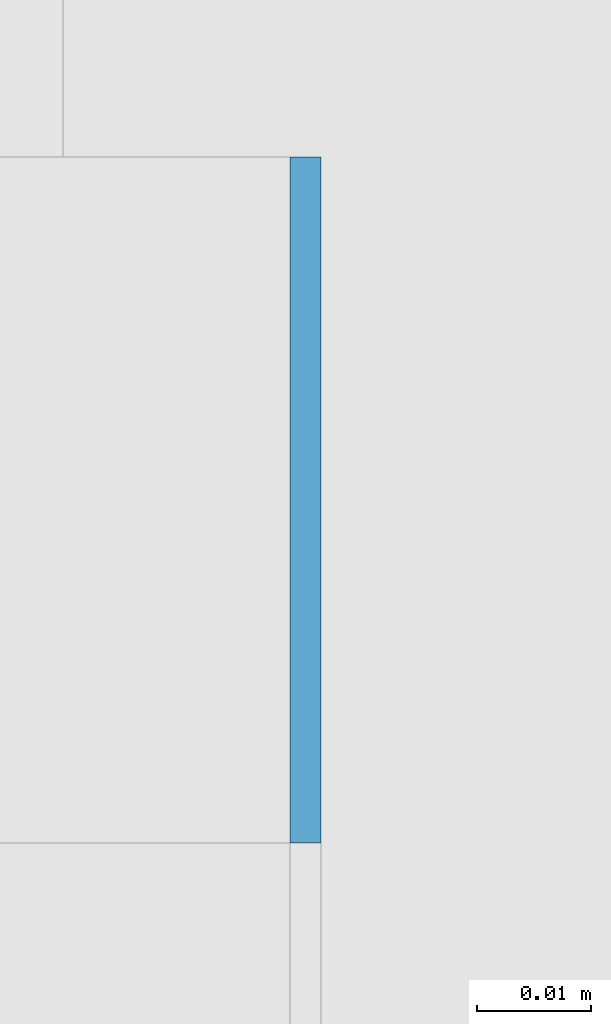
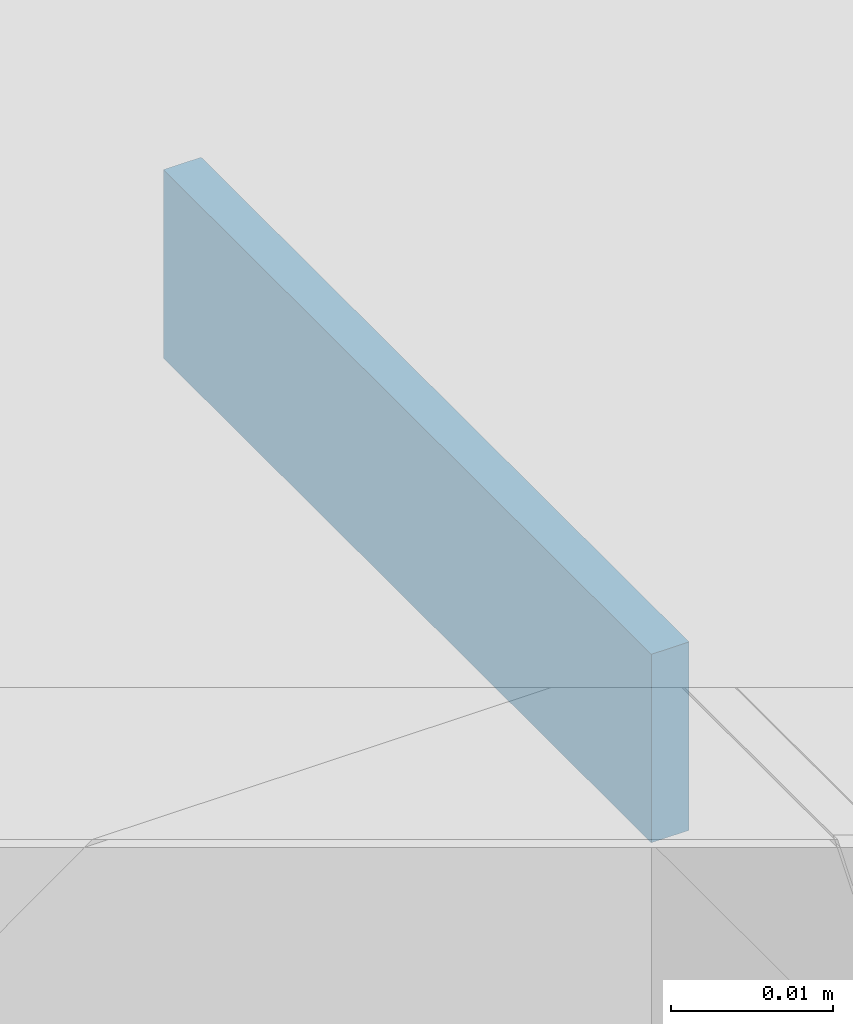
# One storey, part 381 of 646: 1 discrete accessory.
"""IFC4 building model written with IfcOpenShell, lengths in metres."""

from ifc_helpers import new_model, si_unit, direction, frame, origin, origin_2d, place, context, subcontext, project, spatial, rectangle, extrude, material, type_object, element, save


model = new_model("IFC4")

# Units and contexts
model_context = context("Model", 3, precision=1e-05, world=origin(), true_north=direction((0.0, 1.0)))
body_context = subcontext(model_context, "Body", "Model", "MODEL_VIEW")
ifc_project = project(units=[si_unit("LENGTHUNIT", "METRE"), si_unit("AREAUNIT", "SQUARE_METRE"), si_unit("VOLUMEUNIT", "CUBIC_METRE"), si_unit("PLANEANGLEUNIT", "RADIAN"), si_unit("MASSUNIT", "GRAM", prefix="KILO")], contexts=[model_context])

# Site, building, storey
site_placement = place(None, origin())
site = spatial("IfcSite", under=ifc_project, at=site_placement, CompositionType="ELEMENT")
building_placement = place(site_placement, origin())
building = spatial("IfcBuilding", under=site, at=building_placement, Name="Silverbay Arena", CompositionType="ELEMENT")
storey_placement = place(building_placement, frame((0.0, 0.0, 33.5)))
storey = spatial("IfcBuildingStorey", under=building, at=storey_placement, Name="L05", CompositionType="ELEMENT", Elevation=33.5)

# Discrete accessory
ifc_material = material(Name="Steel S355", Category="steel")
discrete_accessory_type = type_object("IfcDiscreteAccessoryType", Name="Steel bracket plate", PredefinedType="BRACKET", material=ifc_material)
discrete_accessory_placement = place(storey_placement, frame((53.871337890625, 108.030029296875, 12.98583984375), z_axis=(0.0, 0.0, 1.0), x_axis=(1.0, 0.0, 0.0)))
element("IfcDiscreteAccessory", 1, at=discrete_accessory_placement, inside=storey, type_object=discrete_accessory_type, Name="Curtain wall packing plate", PredefinedType="BRACKET", context=body_context, shape_type="SweptSolid", body=[
    extrude(rectangle(XDim=0.002685546875, YDim=0.06005859375, at=origin_2d()), origin(), (0.0, 0.0, 1.0), 0.01416015625),
])

save(model, "model.ifc")
